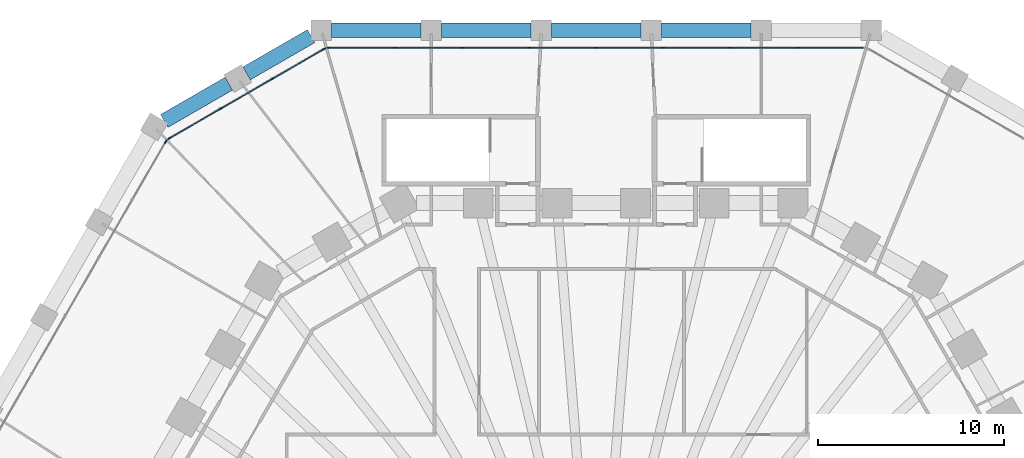
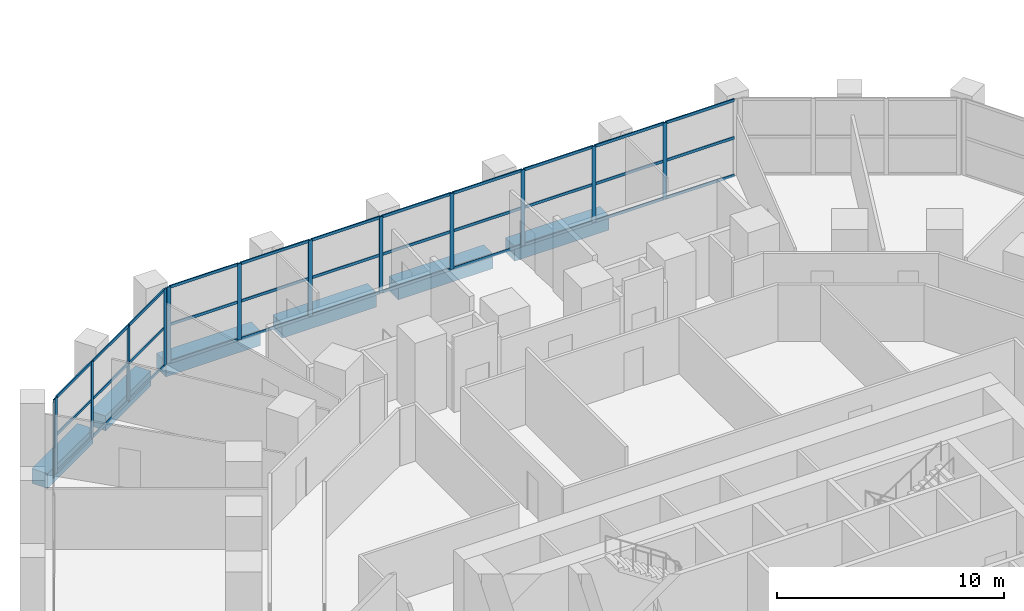
# One storey, part 14 of 38: 46 members, 6 beams, 3 elements without a shape of their own.
"""IFC4 building model written with IfcOpenShell, lengths in metres."""

import ifcopenshell
import ifcopenshell.guid

model = None  # the IFC model being written
_history = None  # IfcOwnerHistory: only IFC2X3 demands one
_inside = {}  # id of a spatial element -> (the spatial element, [elements in it])
_under = {}  # id of a project, library or spatial element -> (it, [spatial elements below it])
_declared = {}  # id of a project -> (the project, [libraries it declares])
_typed = {}  # id of a type object -> (the type object, [elements of that type])
_made_of = {}  # id of a material, layer set ... -> (it, [elements and type objects made of it])


def new_model(schema):
    """Start an empty IFC model of exactly this schema.

    Asked for "IFC4X3", IfcOpenShell would pick the latest addendum, in which some entities
    have other attributes; the version numbers below select the first issue.
    IFC2X3 requires an IfcOwnerHistory on every rooted entity: one is made here for all.
    """
    global model, _history
    if schema == "IFC4X3":
        model = ifcopenshell.file(schema_version=(4, 3, 0, 0))
    else:
        model = ifcopenshell.file(schema=schema)
    _inside.clear()
    _under.clear()
    _declared.clear()
    _typed.clear()
    _made_of.clear()
    _history = None
    if model.schema == "IFC2X3":
        org = make("IfcOrganization", Name="unknown")
        user = make(
            "IfcPersonAndOrganization",
            ThePerson=make("IfcPerson", FamilyName="unknown"),
            TheOrganization=org,
        )
        app = make(
            "IfcApplication",
            ApplicationDeveloper=org,
            Version="unknown",
            ApplicationFullName="unknown",
            ApplicationIdentifier="unknown",
        )
        _history = make(
            "IfcOwnerHistory",
            OwningUser=user,
            OwningApplication=app,
            ChangeAction="ADDED",
            CreationDate=0,
        )
    return model


def make(cls, **values):
    """One entity of the class cls with the attributes given. An attribute that is None is left unset."""
    return model.create_entity(
        cls, **{name: value for name, value in values.items() if value is not None}
    )


def rooted(cls, **values):
    """An entity with a GlobalId (a new one), such as an element, a storey or a relation."""
    return make(cls, GlobalId=ifcopenshell.guid.new(), OwnerHistory=_history, **values)


def si_unit(unit_type, name, prefix=None):
    """IfcSIUnit, for example si_unit("LENGTHUNIT", "METRE", prefix="MILLI")."""
    return make("IfcSIUnit", UnitType=unit_type, Prefix=prefix, Name=name)


def assignment(units):
    """IfcUnitAssignment: the units of a project."""
    return None if units is None else make("IfcUnitAssignment", Units=units)


def point(xyz):
    """IfcCartesianPoint."""
    return None if xyz is None else make("IfcCartesianPoint", Coordinates=xyz)


def direction(xyz):
    """IfcDirection."""
    return None if xyz is None else make("IfcDirection", DirectionRatios=xyz)


def frame(location, z_axis=None, x_axis=None):
    """IfcAxis2Placement3D, a coordinate frame: its origin and axes. An axis left out is left unset."""
    return make(
        "IfcAxis2Placement3D",
        Location=point(location),
        Axis=direction(z_axis),
        RefDirection=direction(x_axis),
    )


def frame_2d(location, x_axis=None):
    """IfcAxis2Placement2D, a coordinate frame in the plane: its origin and x axis."""
    return make(
        "IfcAxis2Placement2D", Location=point(location), RefDirection=direction(x_axis)
    )


def origin():
    """The frame at (0, 0, 0) with its axes left unset."""
    return frame((0.0, 0.0, 0.0))


def origin_2d():
    """The frame at (0, 0) in the plane with its x axis left unset."""
    return frame_2d((0.0, 0.0))


def place(relative_to, where):
    """IfcLocalPlacement: puts the frame where relative to a parent placement (None: the world)."""
    return make(
        "IfcLocalPlacement", PlacementRelTo=relative_to, RelativePlacement=where
    )


def context(
    kind, dimensions, precision=None, world=None, true_north=None, identifier=None
):
    """IfcGeometricRepresentationContext, for example the 3D "Model" context."""
    return make(
        "IfcGeometricRepresentationContext",
        ContextIdentifier=identifier,
        ContextType=kind,
        CoordinateSpaceDimension=dimensions,
        Precision=precision,
        WorldCoordinateSystem=world,
        TrueNorth=true_north,
    )


def subcontext(parent, identifier, kind, view, scale=None):
    """IfcGeometricRepresentationSubContext, for example "Body" below "Model"."""
    return make(
        "IfcGeometricRepresentationSubContext",
        ContextIdentifier=identifier,
        ContextType=kind,
        ParentContext=parent,
        TargetScale=scale,
        TargetView=view,
    )


def project(units=None, contexts=None):
    """IfcProject with its units and contexts."""
    return rooted(
        "IfcProject",
        Name="project",
        RepresentationContexts=contexts,
        UnitsInContext=assignment(units),
    )


def spatial(cls, under=None, at=None, **own):
    """A site, building, storey or space (cls), placed at a placement, below another one or the project."""
    s = rooted(cls, ObjectPlacement=at, **own)
    if under is not None:
        _under.setdefault(under.id(), (under, []))[1].append(s)
    return s


def profile(cls, at=None, kind="AREA", **sizes):
    """A parametric profile (cls). Its sizes go by their IFC names, for example OverallWidth=200.0."""
    return make(cls, ProfileType=kind, Position=at, **sizes)


def rectangle(**sizes):
    """IfcRectangleProfileDef."""
    return profile("IfcRectangleProfileDef", **sizes)


def extrude(swept, where, along, depth):
    """IfcExtrudedAreaSolid: the profile swept, set in the frame where, extruded along a direction by depth."""
    return make(
        "IfcExtrudedAreaSolid",
        SweptArea=swept,
        Position=where,
        ExtrudedDirection=direction(along),
        Depth=depth,
    )


def shape(context_of_items, identifier, shape_type, items):
    """IfcShapeRepresentation: the items that make up one representation, for example the "Body"."""
    return make(
        "IfcShapeRepresentation",
        ContextOfItems=context_of_items,
        RepresentationIdentifier=identifier,
        RepresentationType=shape_type,
        Items=items,
    )


def material(Name=None, Category=None):
    """IfcMaterial."""
    return make("IfcMaterial", Name=Name, Category=Category)


def material_profile(
    of_material, cross_section, Name=None, Category=None, Priority=None
):
    """IfcMaterialProfile: a cross section and its material."""
    return make(
        "IfcMaterialProfile",
        Name=Name,
        Material=of_material,
        Profile=cross_section,
        Priority=Priority,
        Category=Category,
    )


def profile_set(profiles, Name=None, composite=None):
    """IfcMaterialProfileSet."""
    return make(
        "IfcMaterialProfileSet",
        Name=Name,
        MaterialProfiles=profiles,
        CompositeProfile=composite,
    )


def made_of(thing, what):
    """Note that an element or type object is made of a material, layer set ...; save() writes the relation."""
    if what is not None:
        _made_of.setdefault(what.id(), (what, []))[1].append(thing)
    return thing


def type_object(cls, material=None, **own):
    """A type object (cls), such as IfcWallType, which elements share."""
    return made_of(rooted(cls, **own), material)


def element(
    cls,
    number,
    at=None,
    inside=None,
    cuts=None,
    type_object=None,
    material=None,
    context=None,
    identifier="Body",
    shape_type=None,
    held_by="IfcProductDefinitionShape",
    body=None,
    shapes=None,
    **own,
):
    """One element of the class cls, such as IfcWall. Its Tag is "e" and its number.

    at: its placement. inside: the storey or other place that contains it. cuts: it is an
    opening in that element (IfcRelVoidsElement). A single representation is given by context,
    identifier, shape_type and body (its items); several are given by shapes. held_by: the class
    of the entity that holds the representations. save() writes the other relations.
    """
    e = rooted(cls, Tag="e%d" % number, ObjectPlacement=at, **own)
    if body is not None:
        shapes = [shape(context, identifier, shape_type, body)]
    if shapes is not None:
        e.Representation = make(held_by, Representations=shapes)
    if inside is not None:
        _inside.setdefault(inside.id(), (inside, []))[1].append(e)
    if cuts is not None:
        rooted(
            "IfcRelVoidsElement", RelatingBuildingElement=cuts, RelatedOpeningElement=e
        )
    if type_object is not None:
        _typed.setdefault(type_object.id(), (type_object, []))[1].append(e)
    return made_of(e, material)


def aggregate(whole, parts):
    """IfcRelAggregates: a whole, such as a stair, and the parts it consists of."""
    return rooted("IfcRelAggregates", RelatingObject=whole, RelatedObjects=parts)


def save(model, path):
    """Write the relations noted so far, then the file.

    IfcRelAggregates (storeys below a building ...), IfcRelContainedInSpatialStructure (elements
    in a storey), IfcRelDefinesByType, IfcRelAssociatesMaterial and IfcRelDeclares: one each for
    every whole, place, type object, material and project.
    """
    for whole, parts in _under.values():
        aggregate(whole, parts)
    for where, things in _inside.values():
        rooted(
            "IfcRelContainedInSpatialStructure",
            RelatedElements=things,
            RelatingStructure=where,
        )
    for kind, things in _typed.values():
        rooted("IfcRelDefinesByType", RelatedObjects=things, RelatingType=kind)
    for what, things in _made_of.values():
        rooted("IfcRelAssociatesMaterial", RelatedObjects=things, RelatingMaterial=what)
    for by, libraries in _declared.values():
        rooted("IfcRelDeclares", RelatingContext=by, RelatedDefinitions=libraries)
    model.write(path)


model = new_model("IFC4")

# Units and contexts
model_context = context("Model", 3, precision=1e-05, world=origin(), true_north=direction((0.0, 1.0)))
body_context = subcontext(model_context, "Body", "Model", "MODEL_VIEW")
ifc_project = project(units=[si_unit("LENGTHUNIT", "METRE"), si_unit("AREAUNIT", "SQUARE_METRE"), si_unit("VOLUMEUNIT", "CUBIC_METRE"), si_unit("PLANEANGLEUNIT", "RADIAN"), si_unit("MASSUNIT", "GRAM", prefix="KILO")], contexts=[model_context])

# Site, building, storey
site_placement = place(None, origin())
site = spatial("IfcSite", under=ifc_project, at=site_placement, CompositionType="ELEMENT")
building_placement = place(site_placement, origin())
building = spatial("IfcBuilding", under=site, at=building_placement, Name="Frailejon Research Tower", CompositionType="ELEMENT")
storey_placement = place(building_placement, frame((0.0, 0.0, 10.199951171875)))
storey = spatial("IfcBuildingStorey", under=building, at=storey_placement, Name="L02", CompositionType="ELEMENT", Elevation=10.199951171875)

# Beams
ifc_material_1 = material(Name="Concrete C60/75", Category="concrete")
ifc_material_profile_1 = material_profile(ifc_material_1, rectangle(XDim=0.800048828125, YDim=0.800048828125, at=origin_2d()), Name="Base ring beam")
ifc_profile_set_1 = profile_set([ifc_material_profile_1], Name="Concrete C60/75")
beam_type = type_object("IfcBeamType", Name="Base ring beam", PredefinedType="BEAM", material=ifc_profile_set_1)
for number, where, z_axis, x_axis, name in (
    (1, (8.32080078125, 36.0, -0.75), (-1.0, 0.0, 0.0), (0.0, -1.0, 0.0), "Base ring beam"),
    (2, (2.406982421875, 36.0, -0.75), (-1.0, 0.0, 0.0), (0.0, -1.0, 0.0), "Base ring beam"),
    (3, (-3.5068359375, 36.0, -0.75), (-1.0, 0.0, 0.0), (0.0, -1.0, 0.0), "Base ring beam"),
):
    element("IfcBeam", number, at=place(storey_placement, frame(where, z_axis=z_axis, x_axis=x_axis)), inside=storey, type_object=beam_type, Name=name, PredefinedType="BEAM", context=body_context, shape_type="SweptSolid", body=[
        extrude(rectangle(XDim=0.800048828125, YDim=0.800048828125, at=origin_2d()), origin(), (0.0, 0.0, 1.0), 4.81396484375),
    ])
beam_placement = place(storey_placement, frame((-9.4208984375, 36.0, -0.75), z_axis=(-1.0, 0.0, 0.0), x_axis=(0.0, -1.0, 0.0)))
element("IfcBeam", 4, at=beam_placement, inside=storey, type_object=beam_type, Name="Base ring beam", PredefinedType="BEAM", context=body_context, shape_type="SweptSolid", body=[
    extrude(rectangle(XDim=0.800048828125, YDim=0.800048828125, at=origin_2d()), origin(), (0.0, 0.0, 1.0), 4.813720703125),
])
for number, where, z_axis, x_axis, name in (
    (5, (-15.334716796875, 35.6826171875, -0.75), (-0.866013269967, -0.500021015799, 0.0), (0.500021015799, -0.866013269967, 0.0), "Base ring beam"),
    (6, (-19.760986328125, 33.126953125, -0.75), (-0.866013269967, -0.500021015799, 0.0), (0.500021015799, -0.866013269967, 0.0), "Base ring beam"),
):
    element("IfcBeam", number, at=place(storey_placement, frame(where, z_axis=z_axis, x_axis=x_axis)), inside=storey, type_object=beam_type, Name=name, PredefinedType="BEAM", context=body_context, shape_type="SweptSolid", body=[
        extrude(rectangle(XDim=0.800048828125, YDim=0.800048828125, at=origin_2d()), origin(), (0.0, 0.0, 1.0), 4.010986328125),
    ])

# Curtain wall, members
ifc_material_2 = material(Name="Aluminium curtain wall", Category="aluminium")
curtain_wall_type = type_object("IfcCurtainWallType", Name="Podium stick curtain wall system", PredefinedType="NOTDEFINED", material=ifc_material_2)
curtain_wall_1_placement = place(storey_placement, origin())
curtain_wall_1 = element("IfcCurtainWall", 7, at=curtain_wall_1_placement, inside=storey, type_object=curtain_wall_type, Name="Curtain wall L02", PredefinedType="NOTDEFINED")
ifc_material_3 = material(Name="Aluminium extrusion", Category="aluminium")
ifc_material_profile_2 = material_profile(ifc_material_3, rectangle(XDim=0.06005859375, YDim=0.199951171875, at=origin_2d()), Name="Podium stick curtain wall mullion 60x200")
ifc_profile_set_2 = profile_set([ifc_material_profile_2], Name="Aluminium extrusion")
member_type_1 = type_object("IfcMemberType", Name="Podium stick curtain wall mullion 60x200", PredefinedType="MULLION", material=ifc_profile_set_2)
member_1_placement = place(storey_placement, frame((10.822509765625, 35.050048828125, 0.0), z_axis=(0.0, 0.0, 1.0), x_axis=(0.0, -1.0, 0.0)))
member_1 = element("IfcMember", 8, at=member_1_placement, type_object=member_type_1, Name="CW2-036 mullion 2", PredefinedType="MULLION", context=body_context, shape_type="SweptSolid", body=[
    extrude(rectangle(XDim=0.06005859375, YDim=0.199951171875, at=origin_2d()), origin(), (0.0, 0.0, 1.0), 4.10009765625),
])
member_2_placement = place(storey_placement, frame((7.215087890625, 35.050048828125, 0.0), z_axis=(0.0, 0.0, 1.0), x_axis=(0.0, -1.0, 0.0)))
member_2 = element("IfcMember", 9, at=member_2_placement, type_object=member_type_1, Name="CW2-036 mullion 3", PredefinedType="MULLION", context=body_context, shape_type="SweptSolid", body=[
    extrude(rectangle(XDim=0.06005859375, YDim=0.199951171875, at=origin_2d()), origin(), (0.0, 0.0, 1.0), 4.10009765625),
])
member_3_placement = place(storey_placement, frame((3.607421875, 35.050048828125, 0.0), z_axis=(0.0, 0.0, 1.0), x_axis=(0.0, -1.0, 0.0)))
member_3 = element("IfcMember", 10, at=member_3_placement, type_object=member_type_1, Name="CW2-036 mullion 4", PredefinedType="MULLION", context=body_context, shape_type="SweptSolid", body=[
    extrude(rectangle(XDim=0.06005859375, YDim=0.199951171875, at=origin_2d()), origin(), (0.0, 0.0, 1.0), 4.10009765625),
])
member_4_placement = place(storey_placement, frame((0.0, 35.050048828125, 0.0), z_axis=(0.0, 0.0, 1.0), x_axis=(0.0, -1.0, 0.0)))
member_4 = element("IfcMember", 11, at=member_4_placement, type_object=member_type_1, Name="CW2-036 mullion 5", PredefinedType="MULLION", context=body_context, shape_type="SweptSolid", body=[
    extrude(rectangle(XDim=0.06005859375, YDim=0.199951171875, at=origin_2d()), origin(), (0.0, 0.0, 1.0), 4.10009765625),
])
member_5_placement = place(storey_placement, frame((-3.607421875, 35.050048828125, 0.0), z_axis=(0.0, 0.0, 1.0), x_axis=(0.0, -1.0, 0.0)))
member_5 = element("IfcMember", 12, at=member_5_placement, type_object=member_type_1, Name="CW2-036 mullion 6", PredefinedType="MULLION", context=body_context, shape_type="SweptSolid", body=[
    extrude(rectangle(XDim=0.06005859375, YDim=0.199951171875, at=origin_2d()), origin(), (0.0, 0.0, 1.0), 4.10009765625),
])
member_6_placement = place(storey_placement, frame((-7.215087890625, 35.050048828125, 0.0), z_axis=(0.0, 0.0, 1.0), x_axis=(0.0, -1.0, 0.0)))
member_6 = element("IfcMember", 13, at=member_6_placement, type_object=member_type_1, Name="CW2-036 mullion 7", PredefinedType="MULLION", context=body_context, shape_type="SweptSolid", body=[
    extrude(rectangle(XDim=0.06005859375, YDim=0.199951171875, at=origin_2d()), origin(), (0.0, 0.0, 1.0), 4.10009765625),
])
member_7_placement = place(storey_placement, frame((-10.822509765625, 35.050048828125, 0.0), z_axis=(0.0, 0.0, 1.0), x_axis=(0.0, -1.0, 0.0)))
member_7 = element("IfcMember", 14, at=member_7_placement, type_object=member_type_1, Name="CW2-036 mullion 8", PredefinedType="MULLION", context=body_context, shape_type="SweptSolid", body=[
    extrude(rectangle(XDim=0.06005859375, YDim=0.199951171875, at=origin_2d()), origin(), (0.0, 0.0, 1.0), 4.10009765625),
])
member_8_placement = place(storey_placement, frame((-14.400146484375, 35.050048828125, 0.0), z_axis=(0.0, 0.0, 1.0), x_axis=(0.0, -1.0, 0.0)))
member_8 = element("IfcMember", 15, at=member_8_placement, type_object=member_type_1, Name="CW2-036 mullion 9", PredefinedType="MULLION", context=body_context, shape_type="SweptSolid", body=[
    extrude(rectangle(XDim=0.06005859375, YDim=0.199951171875, at=origin_2d()), origin(), (0.0, 0.0, 1.0), 4.10009765625),
])

curtain_wall_2_placement = place(storey_placement, origin())
curtain_wall_2 = element("IfcCurtainWall", 16, at=curtain_wall_2_placement, inside=storey, type_object=curtain_wall_type, Name="Curtain wall L02", PredefinedType="NOTDEFINED")
member_9_placement = place(storey_placement, frame((-14.642578125, 34.985107421875, 0.0), z_axis=(0.0, 0.0, 1.0), x_axis=(0.499999874334, -0.866025476338, 0.0)))
member_9 = element("IfcMember", 17, at=member_9_placement, type_object=member_type_1, Name="CW2-037 mullion 1", PredefinedType="MULLION", context=body_context, shape_type="SweptSolid", body=[
    extrude(rectangle(XDim=0.06005859375, YDim=0.199951171875, at=origin_2d()), origin(), (0.0, 0.0, 1.0), 4.10009765625),
])
member_10_placement = place(storey_placement, frame((-17.412109375, 33.38623046875, 0.0), z_axis=(0.0, 0.0, 1.0), x_axis=(0.499999874334, -0.866025476338, 0.0)))
member_10 = element("IfcMember", 18, at=member_10_placement, type_object=member_type_1, Name="CW2-037 mullion 2", PredefinedType="MULLION", context=body_context, shape_type="SweptSolid", body=[
    extrude(rectangle(XDim=0.06005859375, YDim=0.199951171875, at=origin_2d()), origin(), (0.0, 0.0, 1.0), 4.10009765625),
])
member_11_placement = place(storey_placement, frame((-20.207275390625, 31.772216796875, 0.0), z_axis=(0.0, 0.0, 1.0), x_axis=(0.499999874334, -0.866025476338, 0.0)))
member_11 = element("IfcMember", 19, at=member_11_placement, type_object=member_type_1, Name="CW2-037 mullion 3", PredefinedType="MULLION", context=body_context, shape_type="SweptSolid", body=[
    extrude(rectangle(XDim=0.06005859375, YDim=0.199951171875, at=origin_2d()), origin(), (0.0, 0.0, 1.0), 4.10009765625),
])
member_12_placement = place(storey_placement, frame((-22.9765625, 30.17333984375, 0.0), z_axis=(0.0, 0.0, 1.0), x_axis=(0.499999874334, -0.866025476338, 0.0)))
member_12 = element("IfcMember", 20, at=member_12_placement, type_object=member_type_1, Name="CW2-037 mullion 4", PredefinedType="MULLION", context=body_context, shape_type="SweptSolid", body=[
    extrude(rectangle(XDim=0.06005859375, YDim=0.199951171875, at=origin_2d()), origin(), (0.0, 0.0, 1.0), 4.10009765625),
])

# Curtain wall, member
curtain_wall_3_placement = place(storey_placement, origin())
curtain_wall_3 = element("IfcCurtainWall", 21, at=curtain_wall_3_placement, inside=storey, type_object=curtain_wall_type, Name="Curtain wall L02", PredefinedType="NOTDEFINED")
member_13_placement = place(storey_placement, frame((-23.154296875, 29.995849609375, 0.0), z_axis=(0.0, 0.0, 1.0), x_axis=(0.86602632934, -0.499998396888, 0.0)))
member_13 = element("IfcMember", 22, at=member_13_placement, type_object=member_type_1, Name="CW2-038 mullion 1", PredefinedType="MULLION", context=body_context, shape_type="SweptSolid", body=[
    extrude(rectangle(XDim=0.06005859375, YDim=0.199951171875, at=origin_2d()), origin(), (0.0, 0.0, 1.0), 4.10009765625),
])
aggregate(curtain_wall_3, [member_13])

# Member
ifc_material_4 = material(Name="Aluminium extrusion", Category="aluminium")
ifc_material_profile_3 = material_profile(ifc_material_4, rectangle(XDim=0.06005859375, YDim=0.14990234375, at=origin_2d()), Name="Podium stick curtain wall transom 60x150")
ifc_profile_set_3 = profile_set([ifc_material_profile_3], Name="Aluminium extrusion")
member_type_2 = type_object("IfcMemberType", Name="Podium stick curtain wall transom 60x150", PredefinedType="USERDEFINED", material=ifc_profile_set_3)
member_14_placement = place(storey_placement, frame((14.3701171875, 35.050048828125, 0.030029296875), z_axis=(-1.0, 0.0, 0.0), x_axis=(0.0, -1.0, 0.0)))
member_14 = element("IfcMember", 23, at=member_14_placement, type_object=member_type_2, Name="CW2-036 transom 1.1", ObjectType="TRANSOM", PredefinedType="USERDEFINED", context=body_context, shape_type="SweptSolid", body=[
    extrude(rectangle(XDim=0.06005859375, YDim=0.14990234375, at=origin_2d()), origin(), (0.0, 0.0, 1.0), 3.517578125),
])

member_15_placement = place(storey_placement, frame((14.3701171875, 35.050048828125, 2.050048828125), z_axis=(-1.0, 0.0, 0.0), x_axis=(0.0, -1.0, 0.0)))
member_15 = element("IfcMember", 24, at=member_15_placement, type_object=member_type_2, Name="CW2-036 transom 1.2", ObjectType="TRANSOM", PredefinedType="USERDEFINED", context=body_context, shape_type="SweptSolid", body=[
    extrude(rectangle(XDim=0.06005859375, YDim=0.14990234375, at=origin_2d()), origin(), (0.0, 0.0, 1.0), 3.517578125),
])

member_16_placement = place(storey_placement, frame((14.3701171875, 35.050048828125, 4.070068359375), z_axis=(-1.0, 0.0, 0.0), x_axis=(0.0, -1.0, 0.0)))
member_16 = element("IfcMember", 25, at=member_16_placement, type_object=member_type_2, Name="CW2-036 transom 1.3", ObjectType="TRANSOM", PredefinedType="USERDEFINED", context=body_context, shape_type="SweptSolid", body=[
    extrude(rectangle(XDim=0.06005859375, YDim=0.14990234375, at=origin_2d()), origin(), (0.0, 0.0, 1.0), 3.517578125),
])

member_17_placement = place(storey_placement, frame((10.79248046875, 35.050048828125, 0.030029296875), z_axis=(-1.0, 0.0, 0.0), x_axis=(0.0, -1.0, 0.0)))
member_17 = element("IfcMember", 26, at=member_17_placement, type_object=member_type_2, Name="CW2-036 transom 2.1", ObjectType="TRANSOM", PredefinedType="USERDEFINED", context=body_context, shape_type="SweptSolid", body=[
    extrude(rectangle(XDim=0.06005859375, YDim=0.14990234375, at=origin_2d()), origin(), (0.0, 0.0, 1.0), 3.54736328125),
])

member_18_placement = place(storey_placement, frame((10.79248046875, 35.050048828125, 2.050048828125), z_axis=(-1.0, 0.0, 0.0), x_axis=(0.0, -1.0, 0.0)))
member_18 = element("IfcMember", 27, at=member_18_placement, type_object=member_type_2, Name="CW2-036 transom 2.2", ObjectType="TRANSOM", PredefinedType="USERDEFINED", context=body_context, shape_type="SweptSolid", body=[
    extrude(rectangle(XDim=0.06005859375, YDim=0.14990234375, at=origin_2d()), origin(), (0.0, 0.0, 1.0), 3.54736328125),
])

member_19_placement = place(storey_placement, frame((10.79248046875, 35.050048828125, 4.070068359375), z_axis=(-1.0, 0.0, 0.0), x_axis=(0.0, -1.0, 0.0)))
member_19 = element("IfcMember", 28, at=member_19_placement, type_object=member_type_2, Name="CW2-036 transom 2.3", ObjectType="TRANSOM", PredefinedType="USERDEFINED", context=body_context, shape_type="SweptSolid", body=[
    extrude(rectangle(XDim=0.06005859375, YDim=0.14990234375, at=origin_2d()), origin(), (0.0, 0.0, 1.0), 3.54736328125),
])

member_20_placement = place(storey_placement, frame((7.18505859375, 35.050048828125, 0.030029296875), z_axis=(-1.0, 0.0, 0.0), x_axis=(0.0, -1.0, 0.0)))
member_20 = element("IfcMember", 29, at=member_20_placement, type_object=member_type_2, Name="CW2-036 transom 3.1", ObjectType="TRANSOM", PredefinedType="USERDEFINED", context=body_context, shape_type="SweptSolid", body=[
    extrude(rectangle(XDim=0.06005859375, YDim=0.14990234375, at=origin_2d()), origin(), (0.0, 0.0, 1.0), 3.547607421875),
])

member_21_placement = place(storey_placement, frame((7.18505859375, 35.050048828125, 2.050048828125), z_axis=(-1.0, 0.0, 0.0), x_axis=(0.0, -1.0, 0.0)))
member_21 = element("IfcMember", 30, at=member_21_placement, type_object=member_type_2, Name="CW2-036 transom 3.2", ObjectType="TRANSOM", PredefinedType="USERDEFINED", context=body_context, shape_type="SweptSolid", body=[
    extrude(rectangle(XDim=0.06005859375, YDim=0.14990234375, at=origin_2d()), origin(), (0.0, 0.0, 1.0), 3.547607421875),
])

member_22_placement = place(storey_placement, frame((7.18505859375, 35.050048828125, 4.070068359375), z_axis=(-1.0, 0.0, 0.0), x_axis=(0.0, -1.0, 0.0)))
member_22 = element("IfcMember", 31, at=member_22_placement, type_object=member_type_2, Name="CW2-036 transom 3.3", ObjectType="TRANSOM", PredefinedType="USERDEFINED", context=body_context, shape_type="SweptSolid", body=[
    extrude(rectangle(XDim=0.06005859375, YDim=0.14990234375, at=origin_2d()), origin(), (0.0, 0.0, 1.0), 3.547607421875),
])

member_23_placement = place(storey_placement, frame((3.57763671875, 35.050048828125, 0.030029296875), z_axis=(-1.0, 0.0, 0.0), x_axis=(0.0, -1.0, 0.0)))
member_23 = element("IfcMember", 32, at=member_23_placement, type_object=member_type_2, Name="CW2-036 transom 4.1", ObjectType="TRANSOM", PredefinedType="USERDEFINED", context=body_context, shape_type="SweptSolid", body=[
    extrude(rectangle(XDim=0.06005859375, YDim=0.14990234375, at=origin_2d()), origin(), (0.0, 0.0, 1.0), 3.547607421875),
])

member_24_placement = place(storey_placement, frame((3.57763671875, 35.050048828125, 2.050048828125), z_axis=(-1.0, 0.0, 0.0), x_axis=(0.0, -1.0, 0.0)))
member_24 = element("IfcMember", 33, at=member_24_placement, type_object=member_type_2, Name="CW2-036 transom 4.2", ObjectType="TRANSOM", PredefinedType="USERDEFINED", context=body_context, shape_type="SweptSolid", body=[
    extrude(rectangle(XDim=0.06005859375, YDim=0.14990234375, at=origin_2d()), origin(), (0.0, 0.0, 1.0), 3.547607421875),
])

member_25_placement = place(storey_placement, frame((3.57763671875, 35.050048828125, 4.070068359375), z_axis=(-1.0, 0.0, 0.0), x_axis=(0.0, -1.0, 0.0)))
member_25 = element("IfcMember", 34, at=member_25_placement, type_object=member_type_2, Name="CW2-036 transom 4.3", ObjectType="TRANSOM", PredefinedType="USERDEFINED", context=body_context, shape_type="SweptSolid", body=[
    extrude(rectangle(XDim=0.06005859375, YDim=0.14990234375, at=origin_2d()), origin(), (0.0, 0.0, 1.0), 3.547607421875),
])

member_26_placement = place(storey_placement, frame((-0.030029296875, 35.050048828125, 0.030029296875), z_axis=(-1.0, 0.0, 0.0), x_axis=(0.0, -1.0, 0.0)))
member_26 = element("IfcMember", 35, at=member_26_placement, type_object=member_type_2, Name="CW2-036 transom 5.1", ObjectType="TRANSOM", PredefinedType="USERDEFINED", context=body_context, shape_type="SweptSolid", body=[
    extrude(rectangle(XDim=0.06005859375, YDim=0.14990234375, at=origin_2d()), origin(), (0.0, 0.0, 1.0), 3.547607421875),
])

member_27_placement = place(storey_placement, frame((-0.030029296875, 35.050048828125, 2.050048828125), z_axis=(-1.0, 0.0, 0.0), x_axis=(0.0, -1.0, 0.0)))
member_27 = element("IfcMember", 36, at=member_27_placement, type_object=member_type_2, Name="CW2-036 transom 5.2", ObjectType="TRANSOM", PredefinedType="USERDEFINED", context=body_context, shape_type="SweptSolid", body=[
    extrude(rectangle(XDim=0.06005859375, YDim=0.14990234375, at=origin_2d()), origin(), (0.0, 0.0, 1.0), 3.547607421875),
])

member_28_placement = place(storey_placement, frame((-0.030029296875, 35.050048828125, 4.070068359375), z_axis=(-1.0, 0.0, 0.0), x_axis=(0.0, -1.0, 0.0)))
member_28 = element("IfcMember", 37, at=member_28_placement, type_object=member_type_2, Name="CW2-036 transom 5.3", ObjectType="TRANSOM", PredefinedType="USERDEFINED", context=body_context, shape_type="SweptSolid", body=[
    extrude(rectangle(XDim=0.06005859375, YDim=0.14990234375, at=origin_2d()), origin(), (0.0, 0.0, 1.0), 3.547607421875),
])

member_29_placement = place(storey_placement, frame((-3.637451171875, 35.050048828125, 0.030029296875), z_axis=(-1.0, 0.0, 0.0), x_axis=(0.0, -1.0, 0.0)))
member_29 = element("IfcMember", 38, at=member_29_placement, type_object=member_type_2, Name="CW2-036 transom 6.1", ObjectType="TRANSOM", PredefinedType="USERDEFINED", context=body_context, shape_type="SweptSolid", body=[
    extrude(rectangle(XDim=0.06005859375, YDim=0.14990234375, at=origin_2d()), origin(), (0.0, 0.0, 1.0), 3.547607421875),
])

member_30_placement = place(storey_placement, frame((-3.637451171875, 35.050048828125, 2.050048828125), z_axis=(-1.0, 0.0, 0.0), x_axis=(0.0, -1.0, 0.0)))
member_30 = element("IfcMember", 39, at=member_30_placement, type_object=member_type_2, Name="CW2-036 transom 6.2", ObjectType="TRANSOM", PredefinedType="USERDEFINED", context=body_context, shape_type="SweptSolid", body=[
    extrude(rectangle(XDim=0.06005859375, YDim=0.14990234375, at=origin_2d()), origin(), (0.0, 0.0, 1.0), 3.547607421875),
])

member_31_placement = place(storey_placement, frame((-3.637451171875, 35.050048828125, 4.070068359375), z_axis=(-1.0, 0.0, 0.0), x_axis=(0.0, -1.0, 0.0)))
member_31 = element("IfcMember", 40, at=member_31_placement, type_object=member_type_2, Name="CW2-036 transom 6.3", ObjectType="TRANSOM", PredefinedType="USERDEFINED", context=body_context, shape_type="SweptSolid", body=[
    extrude(rectangle(XDim=0.06005859375, YDim=0.14990234375, at=origin_2d()), origin(), (0.0, 0.0, 1.0), 3.547607421875),
])

member_32_placement = place(storey_placement, frame((-7.2451171875, 35.050048828125, 0.030029296875), z_axis=(-1.0, 0.0, 0.0), x_axis=(0.0, -1.0, 0.0)))
member_32 = element("IfcMember", 41, at=member_32_placement, type_object=member_type_2, Name="CW2-036 transom 7.1", ObjectType="TRANSOM", PredefinedType="USERDEFINED", context=body_context, shape_type="SweptSolid", body=[
    extrude(rectangle(XDim=0.06005859375, YDim=0.14990234375, at=origin_2d()), origin(), (0.0, 0.0, 1.0), 3.54736328125),
])

member_33_placement = place(storey_placement, frame((-7.2451171875, 35.050048828125, 2.050048828125), z_axis=(-1.0, 0.0, 0.0), x_axis=(0.0, -1.0, 0.0)))
member_33 = element("IfcMember", 42, at=member_33_placement, type_object=member_type_2, Name="CW2-036 transom 7.2", ObjectType="TRANSOM", PredefinedType="USERDEFINED", context=body_context, shape_type="SweptSolid", body=[
    extrude(rectangle(XDim=0.06005859375, YDim=0.14990234375, at=origin_2d()), origin(), (0.0, 0.0, 1.0), 3.54736328125),
])

member_34_placement = place(storey_placement, frame((-7.2451171875, 35.050048828125, 4.070068359375), z_axis=(-1.0, 0.0, 0.0), x_axis=(0.0, -1.0, 0.0)))
member_34 = element("IfcMember", 43, at=member_34_placement, type_object=member_type_2, Name="CW2-036 transom 7.3", ObjectType="TRANSOM", PredefinedType="USERDEFINED", context=body_context, shape_type="SweptSolid", body=[
    extrude(rectangle(XDim=0.06005859375, YDim=0.14990234375, at=origin_2d()), origin(), (0.0, 0.0, 1.0), 3.54736328125),
])

member_35_placement = place(storey_placement, frame((-10.8525390625, 35.050048828125, 0.030029296875), z_axis=(-1.0, 0.0, 0.0), x_axis=(0.0, -1.0, 0.0)))
member_35 = element("IfcMember", 44, at=member_35_placement, type_object=member_type_2, Name="CW2-036 transom 8.1", ObjectType="TRANSOM", PredefinedType="USERDEFINED", context=body_context, shape_type="SweptSolid", body=[
    extrude(rectangle(XDim=0.06005859375, YDim=0.14990234375, at=origin_2d()), origin(), (0.0, 0.0, 1.0), 3.517578125),
])

member_36_placement = place(storey_placement, frame((-10.8525390625, 35.050048828125, 2.050048828125), z_axis=(-1.0, 0.0, 0.0), x_axis=(0.0, -1.0, 0.0)))
member_36 = element("IfcMember", 45, at=member_36_placement, type_object=member_type_2, Name="CW2-036 transom 8.2", ObjectType="TRANSOM", PredefinedType="USERDEFINED", context=body_context, shape_type="SweptSolid", body=[
    extrude(rectangle(XDim=0.06005859375, YDim=0.14990234375, at=origin_2d()), origin(), (0.0, 0.0, 1.0), 3.517578125),
])

member_37_placement = place(storey_placement, frame((-10.8525390625, 35.050048828125, 4.070068359375), z_axis=(-1.0, 0.0, 0.0), x_axis=(0.0, -1.0, 0.0)))
member_37 = element("IfcMember", 46, at=member_37_placement, type_object=member_type_2, Name="CW2-036 transom 8.3", ObjectType="TRANSOM", PredefinedType="USERDEFINED", context=body_context, shape_type="SweptSolid", body=[
    extrude(rectangle(XDim=0.06005859375, YDim=0.14990234375, at=origin_2d()), origin(), (0.0, 0.0, 1.0), 3.517578125),
])

aggregate(curtain_wall_1, [member_1, member_2, member_3, member_4, member_5, member_6, member_7, member_8, member_14, member_15, member_16, member_17, member_18, member_19, member_20, member_21, member_22, member_23, member_24, member_25, member_26, member_27, member_28, member_29, member_30, member_31, member_32, member_33, member_34, member_35, member_36, member_37])

member_38_placement = place(storey_placement, frame((-14.668701171875, 34.969970703125, 0.030029296875), z_axis=(-0.866022320763, -0.500005339912, 0.0), x_axis=(0.500005339912, -0.866022320763, 0.0)))
member_38 = element("IfcMember", 47, at=member_38_placement, type_object=member_type_2, Name="CW2-037 transom 1.1", ObjectType="TRANSOM", PredefinedType="USERDEFINED", context=body_context, shape_type="SweptSolid", body=[
    extrude(rectangle(XDim=0.06005859375, YDim=0.14990234375, at=origin_2d()), origin(), (0.0, 0.0, 1.0), 3.1376953125),
])

member_39_placement = place(storey_placement, frame((-14.668701171875, 34.969970703125, 2.050048828125), z_axis=(-0.866022320763, -0.500005339912, 0.0), x_axis=(0.500005339912, -0.866022320763, 0.0)))
member_39 = element("IfcMember", 48, at=member_39_placement, type_object=member_type_2, Name="CW2-037 transom 1.2", ObjectType="TRANSOM", PredefinedType="USERDEFINED", context=body_context, shape_type="SweptSolid", body=[
    extrude(rectangle(XDim=0.06005859375, YDim=0.14990234375, at=origin_2d()), origin(), (0.0, 0.0, 1.0), 3.1376953125),
])

member_40_placement = place(storey_placement, frame((-14.668701171875, 34.969970703125, 4.070068359375), z_axis=(-0.866022320763, -0.500005339912, 0.0), x_axis=(0.500005339912, -0.866022320763, 0.0)))
member_40 = element("IfcMember", 49, at=member_40_placement, type_object=member_type_2, Name="CW2-037 transom 1.3", ObjectType="TRANSOM", PredefinedType="USERDEFINED", context=body_context, shape_type="SweptSolid", body=[
    extrude(rectangle(XDim=0.06005859375, YDim=0.14990234375, at=origin_2d()), origin(), (0.0, 0.0, 1.0), 3.1376953125),
])

member_41_placement = place(storey_placement, frame((-17.43798828125, 33.37109375, 0.030029296875), z_axis=(-0.866048262394, -0.499960405637, 0.0), x_axis=(0.499960405637, -0.866048262394, 0.0)))
member_41 = element("IfcMember", 50, at=member_41_placement, type_object=member_type_2, Name="CW2-037 transom 2.1", ObjectType="TRANSOM", PredefinedType="USERDEFINED", context=body_context, shape_type="SweptSolid", body=[
    extrude(rectangle(XDim=0.06005859375, YDim=0.14990234375, at=origin_2d()), origin(), (0.0, 0.0, 1.0), 3.167724609375),
])

member_42_placement = place(storey_placement, frame((-17.43798828125, 33.37109375, 2.050048828125), z_axis=(-0.866048262394, -0.499960405637, 0.0), x_axis=(0.499960405637, -0.866048262394, 0.0)))
member_42 = element("IfcMember", 51, at=member_42_placement, type_object=member_type_2, Name="CW2-037 transom 2.2", ObjectType="TRANSOM", PredefinedType="USERDEFINED", context=body_context, shape_type="SweptSolid", body=[
    extrude(rectangle(XDim=0.06005859375, YDim=0.14990234375, at=origin_2d()), origin(), (0.0, 0.0, 1.0), 3.167724609375),
])

member_43_placement = place(storey_placement, frame((-17.43798828125, 33.37109375, 4.070068359375), z_axis=(-0.866048262394, -0.499960405637, 0.0), x_axis=(0.499960405637, -0.866048262394, 0.0)))
member_43 = element("IfcMember", 52, at=member_43_placement, type_object=member_type_2, Name="CW2-037 transom 2.3", ObjectType="TRANSOM", PredefinedType="USERDEFINED", context=body_context, shape_type="SweptSolid", body=[
    extrude(rectangle(XDim=0.06005859375, YDim=0.14990234375, at=origin_2d()), origin(), (0.0, 0.0, 1.0), 3.167724609375),
])

member_44_placement = place(storey_placement, frame((-20.2333984375, 31.75732421875, 0.030029296875), z_axis=(-0.866022320763, -0.500005339912, 0.0), x_axis=(0.500005339912, -0.866022320763, 0.0)))
member_44 = element("IfcMember", 53, at=member_44_placement, type_object=member_type_2, Name="CW2-037 transom 3.1", ObjectType="TRANSOM", PredefinedType="USERDEFINED", context=body_context, shape_type="SweptSolid", body=[
    extrude(rectangle(XDim=0.06005859375, YDim=0.14990234375, at=origin_2d()), origin(), (0.0, 0.0, 1.0), 3.1376953125),
])

member_45_placement = place(storey_placement, frame((-20.2333984375, 31.75732421875, 2.050048828125), z_axis=(-0.866022320763, -0.500005339912, 0.0), x_axis=(0.500005339912, -0.866022320763, 0.0)))
member_45 = element("IfcMember", 54, at=member_45_placement, type_object=member_type_2, Name="CW2-037 transom 3.2", ObjectType="TRANSOM", PredefinedType="USERDEFINED", context=body_context, shape_type="SweptSolid", body=[
    extrude(rectangle(XDim=0.06005859375, YDim=0.14990234375, at=origin_2d()), origin(), (0.0, 0.0, 1.0), 3.1376953125),
])

member_46_placement = place(storey_placement, frame((-20.2333984375, 31.75732421875, 4.070068359375), z_axis=(-0.866022320763, -0.500005339912, 0.0), x_axis=(0.500005339912, -0.866022320763, 0.0)))
member_46 = element("IfcMember", 55, at=member_46_placement, type_object=member_type_2, Name="CW2-037 transom 3.3", ObjectType="TRANSOM", PredefinedType="USERDEFINED", context=body_context, shape_type="SweptSolid", body=[
    extrude(rectangle(XDim=0.06005859375, YDim=0.14990234375, at=origin_2d()), origin(), (0.0, 0.0, 1.0), 3.1376953125),
])

aggregate(curtain_wall_2, [member_9, member_10, member_11, member_12, member_38, member_39, member_40, member_41, member_42, member_43, member_44, member_45, member_46])

save(model, "model.ifc")
